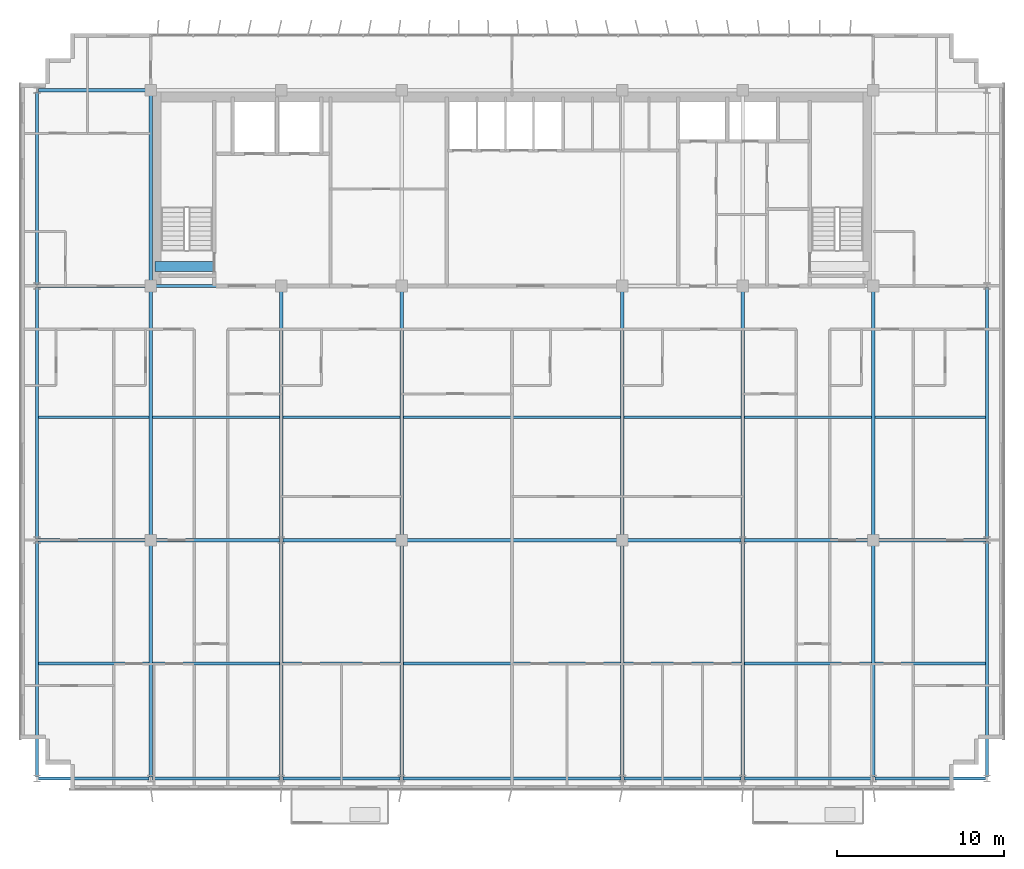
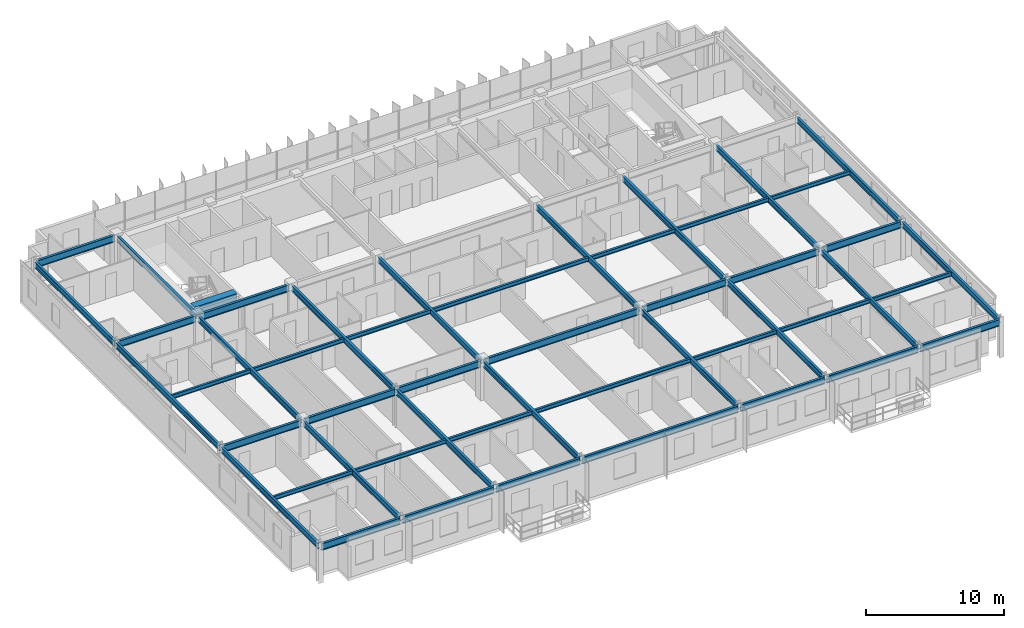
# One storey, part 3 of 21: 50 beams.
"""IFC4 building model written with IfcOpenShell, lengths in metres."""

from ifc_helpers import new_model, si_unit, direction, frame, origin, origin_2d, place, context, subcontext, project, spatial, rectangle, i_section, extrude, source, transform, mapped, material, material_profile, profile_set, type_object, element, save


model = new_model("IFC4")

# Units and contexts
model_context = context("Model", 3, precision=1e-05, world=origin(), true_north=direction((0.0, 1.0)))
body_context = subcontext(model_context, "Body", "Model", "MODEL_VIEW")
ifc_project = project(units=[si_unit("LENGTHUNIT", "METRE"), si_unit("AREAUNIT", "SQUARE_METRE"), si_unit("VOLUMEUNIT", "CUBIC_METRE"), si_unit("PLANEANGLEUNIT", "RADIAN"), si_unit("MASSUNIT", "GRAM", prefix="KILO")], contexts=[model_context])

# Site, building, storey
site_placement = place(None, origin())
site = spatial("IfcSite", under=ifc_project, at=site_placement, CompositionType="ELEMENT")
building_placement = place(site_placement, origin())
building = spatial("IfcBuilding", under=site, at=building_placement, Name="Trelvane Seafront Commons", CompositionType="ELEMENT")
storey_placement = place(building_placement, frame((0.0, 0.0, 135.699951171875)))
storey = spatial("IfcBuildingStorey", under=building, at=storey_placement, Name="L35", CompositionType="ELEMENT", Elevation=135.699951171875)

# Beams
ifc_material_1 = material(Name="Concrete C60/75", Category="concrete")
ifc_material_profile_1 = material_profile(ifc_material_1, rectangle(XDim=0.60009765625, YDim=0.89990234375, at=origin_2d()), Name="RC-600x900")
ifc_profile_set_1 = profile_set([ifc_material_profile_1], Name="Concrete C60/75")
beam_type_1 = type_object("IfcBeamType", Name="STR-LNT-RC600x900", PredefinedType="LINTEL", material=ifc_profile_set_1)
shared_shape_1 = source(origin(), body_context, "Body", "SweptSolid", [
    extrude(rectangle(XDim=0.60009765625, YDim=0.89990234375, at=origin_2d()), origin(), (0.0, 0.0, 1.0), 3.5498046875),
])
beam_1_placement = place(storey_placement, frame((15.85009765625, 34.550048828125, 2.900146484375), z_axis=(1.0, 0.0, 0.0), x_axis=(0.0, 1.0, 0.0)))
element("IfcBeam", 1, at=beam_1_placement, inside=storey, type_object=beam_type_1, Name="L35 Core Coupling Lintel Beam CB-67", PredefinedType="LINTEL", context=body_context, shape_type="MappedRepresentation", body=[
    mapped(shared_shape_1, transform((0.0, 0.0, 0.0), x_axis=(1.0, 0.0, 0.0), y_axis=(0.0, 1.0, 0.0), z_axis=(0.0, 0.0, 1.0), scale=1.0)),
])
ifc_material_2 = material(Name="Steel SM355 (S355)", Category="steel")
ifc_material_profile_2 = material_profile(ifc_material_2, i_section(OverallWidth=0.199951171875, OverallDepth=0.5, WebThickness=0.010009765625, FlangeThickness=0.01611328125, at=origin_2d()), Name="H-500x200x10x16")
ifc_profile_set_2 = profile_set([ifc_material_profile_2], Name="Steel SM355 (S355)")
beam_type_2 = type_object("IfcBeamType", Name="STR-BM-H500", PredefinedType="BEAM", material=ifc_profile_set_2)
shared_shape_2 = source(origin(), body_context, "Body", "SweptSolid", [
    extrude(i_section(OverallWidth=0.199951171875, OverallDepth=0.5, WebThickness=0.010009765625, FlangeThickness=0.01611328125, at=origin_2d()), origin(), (0.0, 0.0, 1.0), 14.89990234375),
])
for number, where, z_axis, x_axis, name in (
    (2, (15.60009765625, 18.35009765625, 3.10009765625), (0.0, 1.0, 0.0), (-1.0, 0.0, 0.0), "L35 Primary Girder G-33"),
    (3, (30.60009765625, 18.35009765625, 3.10009765625), (0.0, 1.0, 0.0), (-1.0, 0.0, 0.0), "L35 Primary Girder G-39"),
    (4, (43.800048828125, 18.35009765625, 3.10009765625), (0.0, 1.0, 0.0), (-1.0, 0.0, 0.0), "L35 Primary Girder G-42"),
    (5, (58.800048828125, 18.35009765625, 3.10009765625), (0.0, 1.0, 0.0), (-1.0, 0.0, 0.0), "L35 Primary Girder G-48"),
):
    element("IfcBeam", number, at=place(storey_placement, frame(where, z_axis=z_axis, x_axis=x_axis)), inside=storey, type_object=beam_type_2, Name=name, PredefinedType="BEAM", context=body_context, shape_type="MappedRepresentation", body=[
        mapped(shared_shape_2, transform((0.0, 0.0, 0.0), x_axis=(1.0, 0.0, 0.0), y_axis=(0.0, 1.0, 0.0), z_axis=(0.0, 0.0, 1.0), scale=1.0)),
    ])
shared_shape_3 = source(origin(), body_context, "Body", "SweptSolid", [
    extrude(i_section(OverallWidth=0.199951171875, OverallDepth=0.5, WebThickness=0.010009765625, FlangeThickness=0.01611328125, at=origin_2d()), origin(), (0.0, 0.0, 1.0), 11.39990234375),
])
beam_2_placement = place(storey_placement, frame((15.60009765625, 33.550048828125, 3.10009765625), z_axis=(0.0, 1.0, 0.0), x_axis=(-1.0, 0.0, 0.0)))
element("IfcBeam", 6, at=beam_2_placement, inside=storey, type_object=beam_type_2, Name="L35 Primary Girder G-34", PredefinedType="BEAM", context=body_context, shape_type="MappedRepresentation", body=[
    mapped(shared_shape_3, transform((0.0, 0.0, 0.0), x_axis=(1.0, 0.0, 0.0), y_axis=(0.0, 1.0, 0.0), z_axis=(0.0, 0.0, 1.0), scale=1.0)),
])
ifc_material_profile_3 = material_profile(ifc_material_2, i_section(OverallWidth=0.175048828125, OverallDepth=0.35009765625, WebThickness=0.007080078125, FlangeThickness=0.010986328125, at=origin_2d()), Name="H-350x175x7x11")
ifc_profile_set_3 = profile_set([ifc_material_profile_3], Name="Steel SM355 (S355)")
beam_type_3 = type_object("IfcBeamType", Name="STR-JST-H350", PredefinedType="JOIST", material=ifc_profile_set_3)
shared_shape_4 = source(origin(), body_context, "Body", "SweptSolid", [
    extrude(i_section(OverallWidth=0.175048828125, OverallDepth=0.35009765625, WebThickness=0.007080078125, FlangeThickness=0.010986328125, at=origin_2d()), origin(), (0.0, 0.0, 1.0), 6.60009765625),
])
for number, where, z_axis, x_axis, name in (
    (7, (8.89990234375, 10.824951171875, 3.175048828125), (1.0, 0.0, 0.0), (0.0, 1.0, 0.0), "L35 Secondary Floor Joist B-53"),
    (8, (58.89990234375, 10.824951171875, 3.175048828125), (1.0, 0.0, 0.0), (0.0, 1.0, 0.0), "L35 Secondary Floor Joist B-59"),
    (9, (8.89990234375, 25.550048828125, 3.175048828125), (1.0, 0.0, 0.0), (0.0, 1.0, 0.0), "L35 Secondary Floor Joist B-60"),
    (10, (58.89990234375, 25.550048828125, 3.175048828125), (1.0, 0.0, 0.0), (0.0, 1.0, 0.0), "L35 Secondary Floor Joist B-66"),
):
    element("IfcBeam", number, at=place(storey_placement, frame(where, z_axis=z_axis, x_axis=x_axis)), inside=storey, type_object=beam_type_3, Name=name, PredefinedType="JOIST", context=body_context, shape_type="MappedRepresentation", body=[
        mapped(shared_shape_4, transform((0.0, 0.0, 0.0), x_axis=(1.0, 0.0, 0.0), y_axis=(0.0, 1.0, 0.0), z_axis=(0.0, 0.0, 1.0), scale=1.0)),
    ])
shared_shape_5 = source(origin(), body_context, "Body", "SweptSolid", [
    extrude(i_section(OverallWidth=0.175048828125, OverallDepth=0.35009765625, WebThickness=0.007080078125, FlangeThickness=0.010986328125, at=origin_2d()), origin(), (0.0, 0.0, 1.0), 7.60009765625),
])
for number, where, z_axis, x_axis, name in (
    (11, (15.699951171875, 10.824951171875, 3.175048828125), (1.0, 0.0, 0.0), (0.0, 1.0, 0.0), "L35 Secondary Floor Joist B-54"),
    (12, (15.699951171875, 25.550048828125, 3.175048828125), (1.0, 0.0, 0.0), (0.0, 1.0, 0.0), "L35 Secondary Floor Joist B-61"),
):
    element("IfcBeam", number, at=place(storey_placement, frame(where, z_axis=z_axis, x_axis=x_axis)), inside=storey, type_object=beam_type_3, Name=name, PredefinedType="JOIST", context=body_context, shape_type="MappedRepresentation", body=[
        mapped(shared_shape_5, transform((0.0, 0.0, 0.0), x_axis=(1.0, 0.0, 0.0), y_axis=(0.0, 1.0, 0.0), z_axis=(0.0, 0.0, 1.0), scale=1.0)),
    ])
shared_shape_6 = source(origin(), body_context, "Body", "SweptSolid", [
    extrude(i_section(OverallWidth=0.175048828125, OverallDepth=0.35009765625, WebThickness=0.007080078125, FlangeThickness=0.010986328125, at=origin_2d()), origin(), (0.0, 0.0, 1.0), 7.0),
])
for number, where, z_axis, x_axis, name in (
    (13, (23.5, 10.824951171875, 3.175048828125), (1.0, 0.0, 0.0), (0.0, 1.0, 0.0), "L35 Secondary Floor Joist B-55"),
    (14, (43.89990234375, 10.824951171875, 3.175048828125), (1.0, 0.0, 0.0), (0.0, 1.0, 0.0), "L35 Secondary Floor Joist B-57"),
    (15, (23.5, 25.550048828125, 3.175048828125), (1.0, 0.0, 0.0), (0.0, 1.0, 0.0), "L35 Secondary Floor Joist B-62"),
    (16, (43.89990234375, 25.550048828125, 3.175048828125), (1.0, 0.0, 0.0), (0.0, 1.0, 0.0), "L35 Secondary Floor Joist B-64"),
):
    element("IfcBeam", number, at=place(storey_placement, frame(where, z_axis=z_axis, x_axis=x_axis)), inside=storey, type_object=beam_type_3, Name=name, PredefinedType="JOIST", context=body_context, shape_type="MappedRepresentation", body=[
        mapped(shared_shape_6, transform((0.0, 0.0, 0.0), x_axis=(1.0, 0.0, 0.0), y_axis=(0.0, 1.0, 0.0), z_axis=(0.0, 0.0, 1.0), scale=1.0)),
    ])
shared_shape_7 = source(origin(), body_context, "Body", "SweptSolid", [
    extrude(i_section(OverallWidth=0.175048828125, OverallDepth=0.35009765625, WebThickness=0.007080078125, FlangeThickness=0.010986328125, at=origin_2d()), origin(), (0.0, 0.0, 1.0), 13.0),
])
for number, where, z_axis, x_axis, name in (
    (17, (30.699951171875, 10.824951171875, 3.175048828125), (1.0, 0.0, 0.0), (0.0, 1.0, 0.0), "L35 Secondary Floor Joist B-56"),
    (18, (30.699951171875, 25.550048828125, 3.175048828125), (1.0, 0.0, 0.0), (0.0, 1.0, 0.0), "L35 Secondary Floor Joist B-63"),
):
    element("IfcBeam", number, at=place(storey_placement, frame(where, z_axis=z_axis, x_axis=x_axis)), inside=storey, type_object=beam_type_3, Name=name, PredefinedType="JOIST", context=body_context, shape_type="MappedRepresentation", body=[
        mapped(shared_shape_7, transform((0.0, 0.0, 0.0), x_axis=(1.0, 0.0, 0.0), y_axis=(0.0, 1.0, 0.0), z_axis=(0.0, 0.0, 1.0), scale=1.0)),
    ])
shared_shape_8 = source(origin(), body_context, "Body", "SweptSolid", [
    extrude(i_section(OverallWidth=0.175048828125, OverallDepth=0.35009765625, WebThickness=0.007080078125, FlangeThickness=0.010986328125, at=origin_2d()), origin(), (0.0, 0.0, 1.0), 7.599853515625),
])
for number, where, z_axis, x_axis, name in (
    (19, (51.10009765625, 10.824951171875, 3.175048828125), (1.0, 0.0, 0.0), (0.0, 1.0, 0.0), "L35 Secondary Floor Joist B-58"),
    (20, (51.10009765625, 25.550048828125, 3.175048828125), (1.0, 0.0, 0.0), (0.0, 1.0, 0.0), "L35 Secondary Floor Joist B-65"),
):
    element("IfcBeam", number, at=place(storey_placement, frame(where, z_axis=z_axis, x_axis=x_axis)), inside=storey, type_object=beam_type_3, Name=name, PredefinedType="JOIST", context=body_context, shape_type="MappedRepresentation", body=[
        mapped(shared_shape_8, transform((0.0, 0.0, 0.0), x_axis=(1.0, 0.0, 0.0), y_axis=(0.0, 1.0, 0.0), z_axis=(0.0, 0.0, 1.0), scale=1.0)),
    ])
ifc_material_profile_4 = material_profile(ifc_material_2, i_section(OverallWidth=0.199951171875, OverallDepth=0.60009765625, WebThickness=0.010986328125, FlangeThickness=0.01708984375, at=origin_2d()), Name="H-600x200x11x17")
ifc_profile_set_4 = profile_set([ifc_material_profile_4], Name="Steel SM355 (S355)")
beam_type_4 = type_object("IfcBeamType", Name="STR-SPD-H600", PredefinedType="SPANDREL", material=ifc_profile_set_4)
shared_shape_9 = source(origin(), body_context, "Body", "SweptSolid", [
    extrude(i_section(OverallWidth=0.199951171875, OverallDepth=0.60009765625, WebThickness=0.010986328125, FlangeThickness=0.01708984375, at=origin_2d()), origin(), (0.0, 0.0, 1.0), 6.60986328125),
])
for number, where, z_axis, x_axis, name in (
    (21, (8.89501953125, 3.949951171875, 3.050048828125), (1.0, 0.0, 0.0), (0.0, 1.0, 0.0), "L35 Primary Girder G-01"),
    (22, (58.89501953125, 3.949951171875, 3.050048828125), (1.0, 0.0, 0.0), (0.0, 1.0, 0.0), "L35 Primary Girder G-07"),
):
    element("IfcBeam", number, at=place(storey_placement, frame(where, z_axis=z_axis, x_axis=x_axis)), inside=storey, type_object=beam_type_4, Name=name, PredefinedType="SPANDREL", context=body_context, shape_type="MappedRepresentation", body=[
        mapped(shared_shape_9, transform((0.0, 0.0, 0.0), x_axis=(1.0, 0.0, 0.0), y_axis=(0.0, 1.0, 0.0), z_axis=(0.0, 0.0, 1.0), scale=1.0)),
    ])
shared_shape_10 = source(origin(), body_context, "Body", "SweptSolid", [
    extrude(i_section(OverallWidth=0.199951171875, OverallDepth=0.60009765625, WebThickness=0.010986328125, FlangeThickness=0.01708984375, at=origin_2d()), origin(), (0.0, 0.0, 1.0), 7.60986328125),
])
beam_3_placement = place(storey_placement, frame((15.695068359375, 3.949951171875, 3.050048828125), z_axis=(1.0, 0.0, 0.0), x_axis=(0.0, 1.0, 0.0)))
element("IfcBeam", 23, at=beam_3_placement, inside=storey, type_object=beam_type_4, Name="L35 Primary Girder G-02", PredefinedType="SPANDREL", context=body_context, shape_type="MappedRepresentation", body=[
    mapped(shared_shape_10, transform((0.0, 0.0, 0.0), x_axis=(1.0, 0.0, 0.0), y_axis=(0.0, 1.0, 0.0), z_axis=(0.0, 0.0, 1.0), scale=1.0)),
])
shared_shape_11 = source(origin(), body_context, "Body", "SweptSolid", [
    extrude(i_section(OverallWidth=0.199951171875, OverallDepth=0.60009765625, WebThickness=0.010986328125, FlangeThickness=0.01708984375, at=origin_2d()), origin(), (0.0, 0.0, 1.0), 7.009765625),
])
beam_4_placement = place(storey_placement, frame((23.4951171875, 3.949951171875, 3.050048828125), z_axis=(1.0, 0.0, 0.0), x_axis=(0.0, 1.0, 0.0)))
element("IfcBeam", 24, at=beam_4_placement, inside=storey, type_object=beam_type_4, Name="L35 Primary Girder G-03", PredefinedType="SPANDREL", context=body_context, shape_type="MappedRepresentation", body=[
    mapped(shared_shape_11, transform((0.0, 0.0, 0.0), x_axis=(1.0, 0.0, 0.0), y_axis=(0.0, 1.0, 0.0), z_axis=(0.0, 0.0, 1.0), scale=1.0)),
])
shared_shape_12 = source(origin(), body_context, "Body", "SweptSolid", [
    extrude(i_section(OverallWidth=0.199951171875, OverallDepth=0.60009765625, WebThickness=0.010986328125, FlangeThickness=0.01708984375, at=origin_2d()), origin(), (0.0, 0.0, 1.0), 13.010009765625),
])
beam_5_placement = place(storey_placement, frame((30.695068359375, 3.949951171875, 3.050048828125), z_axis=(1.0, 0.0, 0.0), x_axis=(0.0, 1.0, 0.0)))
element("IfcBeam", 25, at=beam_5_placement, inside=storey, type_object=beam_type_4, Name="L35 Primary Girder G-04", PredefinedType="SPANDREL", context=body_context, shape_type="MappedRepresentation", body=[
    mapped(shared_shape_12, transform((0.0, 0.0, 0.0), x_axis=(1.0, 0.0, 0.0), y_axis=(0.0, 1.0, 0.0), z_axis=(0.0, 0.0, 1.0), scale=1.0)),
])
shared_shape_13 = source(origin(), body_context, "Body", "SweptSolid", [
    extrude(i_section(OverallWidth=0.199951171875, OverallDepth=0.60009765625, WebThickness=0.010986328125, FlangeThickness=0.01708984375, at=origin_2d()), origin(), (0.0, 0.0, 1.0), 7.010009765625),
])
beam_6_placement = place(storey_placement, frame((43.89501953125, 3.949951171875, 3.050048828125), z_axis=(1.0, 0.0, 0.0), x_axis=(0.0, 1.0, 0.0)))
element("IfcBeam", 26, at=beam_6_placement, inside=storey, type_object=beam_type_4, Name="L35 Primary Girder G-05", PredefinedType="SPANDREL", context=body_context, shape_type="MappedRepresentation", body=[
    mapped(shared_shape_13, transform((0.0, 0.0, 0.0), x_axis=(1.0, 0.0, 0.0), y_axis=(0.0, 1.0, 0.0), z_axis=(0.0, 0.0, 1.0), scale=1.0)),
])
shared_shape_14 = source(origin(), body_context, "Body", "SweptSolid", [
    extrude(i_section(OverallWidth=0.199951171875, OverallDepth=0.60009765625, WebThickness=0.010986328125, FlangeThickness=0.01708984375, at=origin_2d()), origin(), (0.0, 0.0, 1.0), 7.610107421875),
])
beam_7_placement = place(storey_placement, frame((51.094970703125, 3.949951171875, 3.050048828125), z_axis=(1.0, 0.0, 0.0), x_axis=(0.0, 1.0, 0.0)))
element("IfcBeam", 27, at=beam_7_placement, inside=storey, type_object=beam_type_4, Name="L35 Primary Girder G-06", PredefinedType="SPANDREL", context=body_context, shape_type="MappedRepresentation", body=[
    mapped(shared_shape_14, transform((0.0, 0.0, 0.0), x_axis=(1.0, 0.0, 0.0), y_axis=(0.0, 1.0, 0.0), z_axis=(0.0, 0.0, 1.0), scale=1.0)),
])
shared_shape_15 = source(origin(), body_context, "Body", "SweptSolid", [
    extrude(i_section(OverallWidth=0.199951171875, OverallDepth=0.60009765625, WebThickness=0.010986328125, FlangeThickness=0.01708984375, at=origin_2d()), origin(), (0.0, 0.0, 1.0), 6.554931640625),
])
for number, where, z_axis, x_axis, name in (
    (28, (8.89501953125, 18.199951171875, 3.050048828125), (1.0, 0.0, 0.0), (0.0, 1.0, 0.0), "L35 Primary Girder G-08"),
    (29, (58.949951171875, 18.199951171875, 3.050048828125), (1.0, 0.0, 0.0), (0.0, 1.0, 0.0), "L35 Primary Girder G-14"),
    (30, (8.89501953125, 33.39990234375, 3.050048828125), (1.0, 0.0, 0.0), (0.0, 1.0, 0.0), "L35 Primary Girder G-15"),
    (31, (8.89501953125, 45.10009765625, 3.050048828125), (1.0, 0.0, 0.0), (0.0, 1.0, 0.0), "L35 Primary Girder G-22"),
):
    element("IfcBeam", number, at=place(storey_placement, frame(where, z_axis=z_axis, x_axis=x_axis)), inside=storey, type_object=beam_type_4, Name=name, PredefinedType="SPANDREL", context=body_context, shape_type="MappedRepresentation", body=[
        mapped(shared_shape_15, transform((0.0, 0.0, 0.0), x_axis=(1.0, 0.0, 0.0), y_axis=(0.0, 1.0, 0.0), z_axis=(0.0, 0.0, 1.0), scale=1.0)),
    ])
shared_shape_16 = source(origin(), body_context, "Body", "SweptSolid", [
    extrude(i_section(OverallWidth=0.199951171875, OverallDepth=0.60009765625, WebThickness=0.010986328125, FlangeThickness=0.01708984375, at=origin_2d()), origin(), (0.0, 0.0, 1.0), 7.554931640625),
])
for number, where, z_axis, x_axis, name in (
    (32, (15.75, 18.199951171875, 3.050048828125), (1.0, 0.0, 0.0), (0.0, 1.0, 0.0), "L35 Primary Girder G-09"),
    (33, (51.094970703125, 18.199951171875, 3.050048828125), (1.0, 0.0, 0.0), (0.0, 1.0, 0.0), "L35 Primary Girder G-13"),
):
    element("IfcBeam", number, at=place(storey_placement, frame(where, z_axis=z_axis, x_axis=x_axis)), inside=storey, type_object=beam_type_4, Name=name, PredefinedType="SPANDREL", context=body_context, shape_type="MappedRepresentation", body=[
        mapped(shared_shape_16, transform((0.0, 0.0, 0.0), x_axis=(1.0, 0.0, 0.0), y_axis=(0.0, 1.0, 0.0), z_axis=(0.0, 0.0, 1.0), scale=1.0)),
    ])
shared_shape_17 = source(origin(), body_context, "Body", "SweptSolid", [
    extrude(i_section(OverallWidth=0.199951171875, OverallDepth=0.60009765625, WebThickness=0.010986328125, FlangeThickness=0.01708984375, at=origin_2d()), origin(), (0.0, 0.0, 1.0), 6.954833984375),
])
beam_8_placement = place(storey_placement, frame((23.4951171875, 18.199951171875, 3.050048828125), z_axis=(1.0, 0.0, 0.0), x_axis=(0.0, 1.0, 0.0)))
element("IfcBeam", 34, at=beam_8_placement, inside=storey, type_object=beam_type_4, Name="L35 Primary Girder G-10", PredefinedType="SPANDREL", context=body_context, shape_type="MappedRepresentation", body=[
    mapped(shared_shape_17, transform((0.0, 0.0, 0.0), x_axis=(1.0, 0.0, 0.0), y_axis=(0.0, 1.0, 0.0), z_axis=(0.0, 0.0, 1.0), scale=1.0)),
])
shared_shape_18 = source(origin(), body_context, "Body", "SweptSolid", [
    extrude(i_section(OverallWidth=0.199951171875, OverallDepth=0.60009765625, WebThickness=0.010986328125, FlangeThickness=0.01708984375, at=origin_2d()), origin(), (0.0, 0.0, 1.0), 12.89990234375),
])
beam_9_placement = place(storey_placement, frame((30.75, 18.199951171875, 3.050048828125), z_axis=(1.0, 0.0, 0.0), x_axis=(0.0, 1.0, 0.0)))
element("IfcBeam", 35, at=beam_9_placement, inside=storey, type_object=beam_type_4, Name="L35 Primary Girder G-11", PredefinedType="SPANDREL", context=body_context, shape_type="MappedRepresentation", body=[
    mapped(shared_shape_18, transform((0.0, 0.0, 0.0), x_axis=(1.0, 0.0, 0.0), y_axis=(0.0, 1.0, 0.0), z_axis=(0.0, 0.0, 1.0), scale=1.0)),
])
shared_shape_19 = source(origin(), body_context, "Body", "SweptSolid", [
    extrude(i_section(OverallWidth=0.199951171875, OverallDepth=0.60009765625, WebThickness=0.010986328125, FlangeThickness=0.01708984375, at=origin_2d()), origin(), (0.0, 0.0, 1.0), 6.955078125),
])
beam_10_placement = place(storey_placement, frame((43.949951171875, 18.199951171875, 3.050048828125), z_axis=(1.0, 0.0, 0.0), x_axis=(0.0, 1.0, 0.0)))
element("IfcBeam", 36, at=beam_10_placement, inside=storey, type_object=beam_type_4, Name="L35 Primary Girder G-12", PredefinedType="SPANDREL", context=body_context, shape_type="MappedRepresentation", body=[
    mapped(shared_shape_19, transform((0.0, 0.0, 0.0), x_axis=(1.0, 0.0, 0.0), y_axis=(0.0, 1.0, 0.0), z_axis=(0.0, 0.0, 1.0), scale=1.0)),
])
shared_shape_20 = source(origin(), body_context, "Body", "SweptSolid", [
    extrude(i_section(OverallWidth=0.199951171875, OverallDepth=0.60009765625, WebThickness=0.010986328125, FlangeThickness=0.01708984375, at=origin_2d()), origin(), (0.0, 0.0, 1.0), 7.5),
])
beam_11_placement = place(storey_placement, frame((15.75, 33.39990234375, 3.050048828125), z_axis=(1.0, 0.0, 0.0), x_axis=(0.0, 1.0, 0.0)))
element("IfcBeam", 37, at=beam_11_placement, inside=storey, type_object=beam_type_4, Name="L35 Primary Girder G-16", PredefinedType="SPANDREL", context=body_context, shape_type="MappedRepresentation", body=[
    mapped(shared_shape_20, transform((0.0, 0.0, 0.0), x_axis=(1.0, 0.0, 0.0), y_axis=(0.0, 1.0, 0.0), z_axis=(0.0, 0.0, 1.0), scale=1.0)),
])
shared_shape_21 = source(origin(), body_context, "Body", "SweptSolid", [
    extrude(i_section(OverallWidth=0.199951171875, OverallDepth=0.5, WebThickness=0.010009765625, FlangeThickness=0.01611328125, at=origin_2d()), origin(), (0.0, 0.0, 1.0), 14.06005859375),
])
for number, where, z_axis, x_axis, name in (
    (38, (8.800048828125, 4.044921875, 3.10009765625), (0.0, 1.0, 0.0), (-1.0, 0.0, 0.0), "L35 Primary Girder G-29"),
    (39, (23.39990234375, 4.044921875, 3.10009765625), (0.0, 1.0, 0.0), (-1.0, 0.0, 0.0), "L35 Primary Girder G-35"),
    (40, (51.0, 4.044921875, 3.10009765625), (0.0, 1.0, 0.0), (-1.0, 0.0, 0.0), "L35 Primary Girder G-44"),
    (41, (65.60009765625, 4.044921875, 3.10009765625), (0.0, 1.0, 0.0), (-1.0, 0.0, 0.0), "L35 Primary Girder G-50"),
):
    element("IfcBeam", number, at=place(storey_placement, frame(where, z_axis=z_axis, x_axis=x_axis)), inside=storey, type_object=beam_type_2, Name=name, PredefinedType="BEAM", context=body_context, shape_type="MappedRepresentation", body=[
        mapped(shared_shape_21, transform((0.0, 0.0, 0.0), x_axis=(1.0, 0.0, 0.0), y_axis=(0.0, 1.0, 0.0), z_axis=(0.0, 0.0, 1.0), scale=1.0)),
    ])
shared_shape_22 = source(origin(), body_context, "Body", "SweptSolid", [
    extrude(i_section(OverallWidth=0.199951171875, OverallDepth=0.5, WebThickness=0.010009765625, FlangeThickness=0.01611328125, at=origin_2d()), origin(), (0.0, 0.0, 1.0), 15.010009765625),
])
for number, where, z_axis, x_axis, name in (
    (42, (8.800048828125, 18.294921875, 3.10009765625), (0.0, 1.0, 0.0), (-1.0, 0.0, 0.0), "L35 Primary Girder G-30"),
    (43, (65.60009765625, 18.294921875, 3.10009765625), (0.0, 1.0, 0.0), (-1.0, 0.0, 0.0), "L35 Primary Girder G-51"),
):
    element("IfcBeam", number, at=place(storey_placement, frame(where, z_axis=z_axis, x_axis=x_axis)), inside=storey, type_object=beam_type_2, Name=name, PredefinedType="BEAM", context=body_context, shape_type="MappedRepresentation", body=[
        mapped(shared_shape_22, transform((0.0, 0.0, 0.0), x_axis=(1.0, 0.0, 0.0), y_axis=(0.0, 1.0, 0.0), z_axis=(0.0, 0.0, 1.0), scale=1.0)),
    ])
shared_shape_23 = source(origin(), body_context, "Body", "SweptSolid", [
    extrude(i_section(OverallWidth=0.199951171875, OverallDepth=0.5, WebThickness=0.010009765625, FlangeThickness=0.01611328125, at=origin_2d()), origin(), (0.0, 0.0, 1.0), 11.509765625),
])
beam_12_placement = place(storey_placement, frame((8.800048828125, 33.4951171875, 3.10009765625), z_axis=(0.0, 1.0, 0.0), x_axis=(-1.0, 0.0, 0.0)))
element("IfcBeam", 44, at=beam_12_placement, inside=storey, type_object=beam_type_2, Name="L35 Primary Girder G-31", PredefinedType="BEAM", context=body_context, shape_type="MappedRepresentation", body=[
    mapped(shared_shape_23, transform((0.0, 0.0, 0.0), x_axis=(1.0, 0.0, 0.0), y_axis=(0.0, 1.0, 0.0), z_axis=(0.0, 0.0, 1.0), scale=1.0)),
])
shared_shape_24 = source(origin(), body_context, "Body", "SweptSolid", [
    extrude(i_section(OverallWidth=0.199951171875, OverallDepth=0.5, WebThickness=0.010009765625, FlangeThickness=0.01611328125, at=origin_2d()), origin(), (0.0, 0.0, 1.0), 14.005126953125),
])
for number, where, z_axis, x_axis, name in (
    (45, (15.60009765625, 4.044921875, 3.10009765625), (0.0, 1.0, 0.0), (-1.0, 0.0, 0.0), "L35 Primary Girder G-32"),
    (46, (30.60009765625, 4.044921875, 3.10009765625), (0.0, 1.0, 0.0), (-1.0, 0.0, 0.0), "L35 Primary Girder G-38"),
    (47, (43.800048828125, 4.044921875, 3.10009765625), (0.0, 1.0, 0.0), (-1.0, 0.0, 0.0), "L35 Primary Girder G-41"),
    (48, (58.800048828125, 4.044921875, 3.10009765625), (0.0, 1.0, 0.0), (-1.0, 0.0, 0.0), "L35 Primary Girder G-47"),
):
    element("IfcBeam", number, at=place(storey_placement, frame(where, z_axis=z_axis, x_axis=x_axis)), inside=storey, type_object=beam_type_2, Name=name, PredefinedType="BEAM", context=body_context, shape_type="MappedRepresentation", body=[
        mapped(shared_shape_24, transform((0.0, 0.0, 0.0), x_axis=(1.0, 0.0, 0.0), y_axis=(0.0, 1.0, 0.0), z_axis=(0.0, 0.0, 1.0), scale=1.0)),
    ])
shared_shape_25 = source(origin(), body_context, "Body", "SweptSolid", [
    extrude(i_section(OverallWidth=0.199951171875, OverallDepth=0.5, WebThickness=0.010009765625, FlangeThickness=0.01611328125, at=origin_2d()), origin(), (0.0, 0.0, 1.0), 14.955078125),
])
for number, where, z_axis, x_axis, name in (
    (49, (23.39990234375, 18.294921875, 3.10009765625), (0.0, 1.0, 0.0), (-1.0, 0.0, 0.0), "L35 Primary Girder G-36"),
    (50, (51.0, 18.294921875, 3.10009765625), (0.0, 1.0, 0.0), (-1.0, 0.0, 0.0), "L35 Primary Girder G-45"),
):
    element("IfcBeam", number, at=place(storey_placement, frame(where, z_axis=z_axis, x_axis=x_axis)), inside=storey, type_object=beam_type_2, Name=name, PredefinedType="BEAM", context=body_context, shape_type="MappedRepresentation", body=[
        mapped(shared_shape_25, transform((0.0, 0.0, 0.0), x_axis=(1.0, 0.0, 0.0), y_axis=(0.0, 1.0, 0.0), z_axis=(0.0, 0.0, 1.0), scale=1.0)),
    ])

save(model, "model.ifc")
